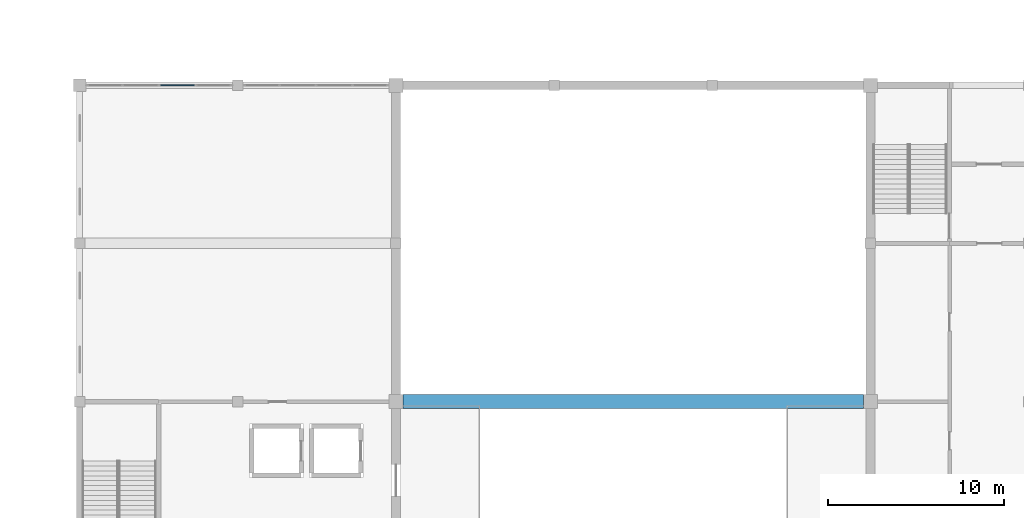
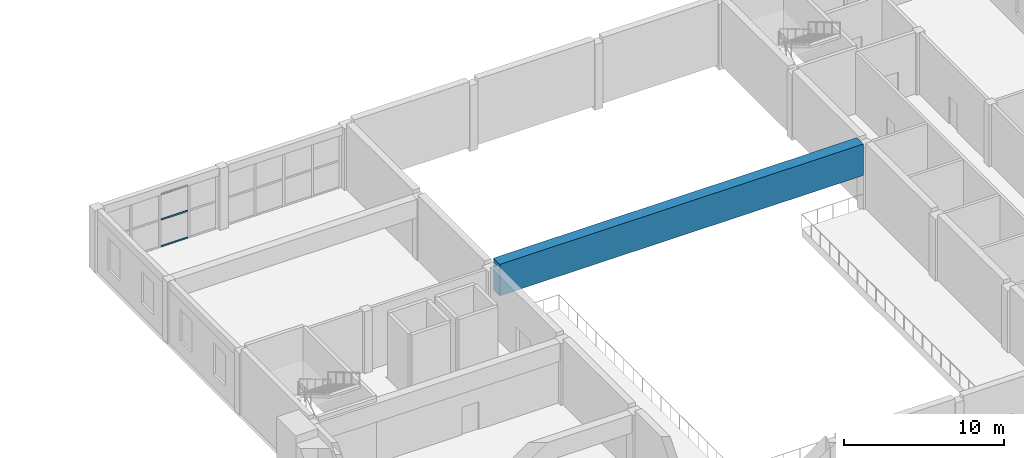
# One storey, part 11 of 34: 3 members, 1 beam, 1 element without a shape of its own.
"""IFC4 building model written with IfcOpenShell, lengths in metres."""

from ifc_helpers import new_model, si_unit, direction, frame, origin, origin_2d, place, context, subcontext, project, spatial, rectangle, extrude, material, material_profile, profile_set, type_object, element, aggregate, save


model = new_model("IFC4")

# Units and contexts
model_context = context("Model", 3, precision=1e-05, world=origin(), true_north=direction((0.0, 1.0)))
body_context = subcontext(model_context, "Body", "Model", "MODEL_VIEW")
ifc_project = project(units=[si_unit("LENGTHUNIT", "METRE"), si_unit("AREAUNIT", "SQUARE_METRE"), si_unit("VOLUMEUNIT", "CUBIC_METRE"), si_unit("PLANEANGLEUNIT", "RADIAN"), si_unit("MASSUNIT", "GRAM", prefix="KILO")], contexts=[model_context])

# Site, building, storey
site_placement = place(None, origin())
site = spatial("IfcSite", under=ifc_project, at=site_placement, CompositionType="ELEMENT")
building_placement = place(site_placement, origin())
building = spatial("IfcBuilding", under=site, at=building_placement, Name="Firuza Court", CompositionType="ELEMENT")
storey_placement = place(building_placement, frame((0.0, 0.0, 19.0)))
storey = spatial("IfcBuildingStorey", under=building, at=storey_placement, Name="L03", CompositionType="ELEMENT", Elevation=19.0)

# Curtain wall, members
ifc_material_1 = material(Name="Aluminium", Category="aluminium")
curtain_wall_type = type_object("IfcCurtainWallType", Name="CW6 FOYER CURTAIN WALL", PredefinedType="NOTDEFINED", material=ifc_material_1)
curtain_wall_placement = place(storey_placement, origin())
curtain_wall = element("IfcCurtainWall", 1, at=curtain_wall_placement, inside=storey, type_object=curtain_wall_type, Name="CW6 foyer curtain wall 9", PredefinedType="NOTDEFINED")
ifc_material_2 = material(Name="Aluminium", Category="aluminium")
ifc_material_profile_1 = material_profile(ifc_material_2, rectangle(XDim=0.06005859375, YDim=0.1201171875, at=origin_2d()), Name="TRANSOM 60X120")
ifc_profile_set_1 = profile_set([ifc_material_profile_1], Name="Aluminium")
member_type = type_object("IfcMemberType", Name="CW6 TRANSOM 60X120", PredefinedType="USERDEFINED", material=ifc_profile_set_1)
member_1_placement = place(storey_placement, frame((94.60498046875, 45.0, 0.06005859375), z_axis=(1.0, 0.0, 0.0), x_axis=(0.0, 1.0, 0.0)))
member_1 = element("IfcMember", 2, at=member_1_placement, type_object=member_type, Name="CW6 transom 3.1", ObjectType="TRANSOM", PredefinedType="USERDEFINED", context=body_context, shape_type="SweptSolid", body=[
    extrude(rectangle(XDim=0.06005859375, YDim=0.1201171875, at=origin_2d()), origin(), (0.0, 0.0, 1.0), 1.927490234375),
])
member_2_placement = place(storey_placement, frame((94.60498046875, 45.0, 2.10009765625), z_axis=(1.0, 0.0, 0.0), x_axis=(0.0, 1.0, 0.0)))
member_2 = element("IfcMember", 3, at=member_2_placement, type_object=member_type, Name="CW6 transom 3.2", ObjectType="TRANSOM", PredefinedType="USERDEFINED", context=body_context, shape_type="SweptSolid", body=[
    extrude(rectangle(XDim=0.06005859375, YDim=0.1201171875, at=origin_2d()), origin(), (0.0, 0.0, 1.0), 1.927490234375),
])
member_3_placement = place(storey_placement, frame((94.60498046875, 45.0, 4.0400390625), z_axis=(1.0, 0.0, 0.0), x_axis=(0.0, 1.0, 0.0)))
member_3 = element("IfcMember", 4, at=member_3_placement, type_object=member_type, Name="CW6 transom 3.3", ObjectType="TRANSOM", PredefinedType="USERDEFINED", context=body_context, shape_type="SweptSolid", body=[
    extrude(rectangle(XDim=0.06005859375, YDim=0.1201171875, at=origin_2d()), origin(), (0.0, 0.0, 1.0), 1.927490234375),
])
aggregate(curtain_wall, [member_1, member_2, member_3])

# Beam
ifc_material_3 = material(Name="Concrete C40/50", Category="concrete")
ifc_material_profile_2 = material_profile(ifc_material_3, rectangle(XDim=0.800048828125, YDim=2.39990234375, at=origin_2d()), Name="RC 800X2400")
ifc_profile_set_2 = profile_set([ifc_material_profile_2], Name="Concrete C40/50")
beam_type = type_object("IfcBeamType", Name="RC BEAM 800X2400", PredefinedType="BEAM", material=ifc_profile_set_2)
beam_placement = place(storey_placement, frame((108.39990234375, 27.0, 3.800048828125), z_axis=(1.0, 0.0, 0.0), x_axis=(0.0, 1.0, 0.0)))
element("IfcBeam", 5, at=beam_placement, inside=storey, type_object=beam_type, Name="Proscenium girder", PredefinedType="BEAM", context=body_context, shape_type="SweptSolid", body=[
    extrude(rectangle(XDim=0.800048828125, YDim=2.39990234375, at=origin_2d()), origin(), (0.0, 0.0, 1.0), 26.2001953125),
])

save(model, "model.ifc")
